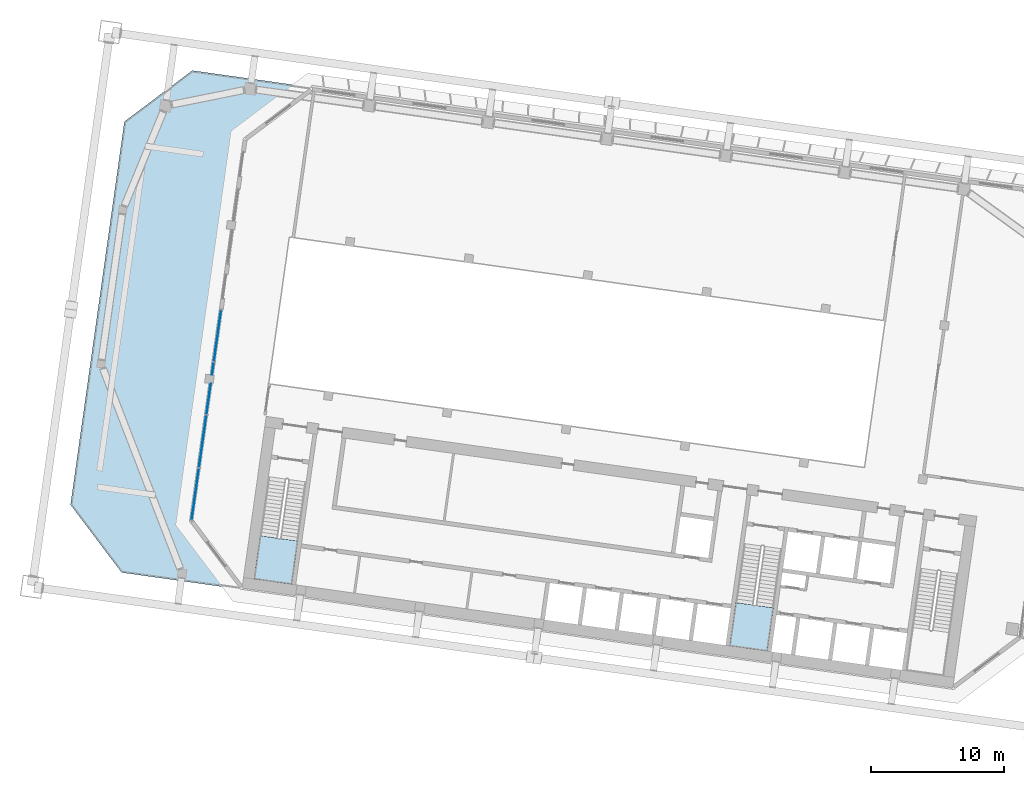
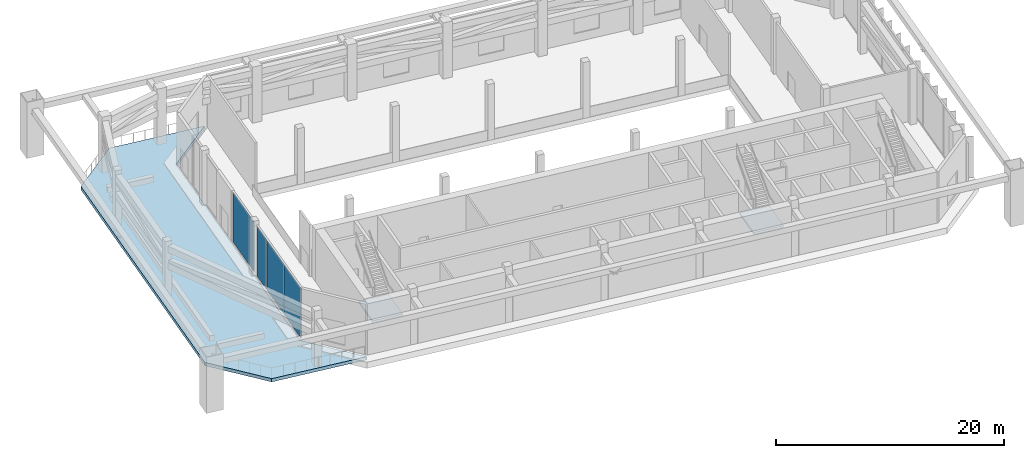
# One storey, part 17 of 41: 5 plates, 3 slabs, 3 elements without a shape of their own.
"""IFC4 building model written with IfcOpenShell, lengths in metres."""

import ifcopenshell
import ifcopenshell.guid

model = None  # the IFC model being written
_history = None  # IfcOwnerHistory: only IFC2X3 demands one
_inside = {}  # id of a spatial element -> (the spatial element, [elements in it])
_under = {}  # id of a project, library or spatial element -> (it, [spatial elements below it])
_declared = {}  # id of a project -> (the project, [libraries it declares])
_typed = {}  # id of a type object -> (the type object, [elements of that type])
_made_of = {}  # id of a material, layer set ... -> (it, [elements and type objects made of it])


def new_model(schema):
    """Start an empty IFC model of exactly this schema.

    Asked for "IFC4X3", IfcOpenShell would pick the latest addendum, in which some entities
    have other attributes; the version numbers below select the first issue.
    IFC2X3 requires an IfcOwnerHistory on every rooted entity: one is made here for all.
    """
    global model, _history
    if schema == "IFC4X3":
        model = ifcopenshell.file(schema_version=(4, 3, 0, 0))
    else:
        model = ifcopenshell.file(schema=schema)
    _inside.clear()
    _under.clear()
    _declared.clear()
    _typed.clear()
    _made_of.clear()
    _history = None
    if model.schema == "IFC2X3":
        org = make("IfcOrganization", Name="unknown")
        user = make(
            "IfcPersonAndOrganization",
            ThePerson=make("IfcPerson", FamilyName="unknown"),
            TheOrganization=org,
        )
        app = make(
            "IfcApplication",
            ApplicationDeveloper=org,
            Version="unknown",
            ApplicationFullName="unknown",
            ApplicationIdentifier="unknown",
        )
        _history = make(
            "IfcOwnerHistory",
            OwningUser=user,
            OwningApplication=app,
            ChangeAction="ADDED",
            CreationDate=0,
        )
    return model


def make(cls, **values):
    """One entity of the class cls with the attributes given. An attribute that is None is left unset."""
    return model.create_entity(
        cls, **{name: value for name, value in values.items() if value is not None}
    )


def rooted(cls, **values):
    """An entity with a GlobalId (a new one), such as an element, a storey or a relation."""
    return make(cls, GlobalId=ifcopenshell.guid.new(), OwnerHistory=_history, **values)


def si_unit(unit_type, name, prefix=None):
    """IfcSIUnit, for example si_unit("LENGTHUNIT", "METRE", prefix="MILLI")."""
    return make("IfcSIUnit", UnitType=unit_type, Prefix=prefix, Name=name)


def assignment(units):
    """IfcUnitAssignment: the units of a project."""
    return None if units is None else make("IfcUnitAssignment", Units=units)


def point(xyz):
    """IfcCartesianPoint."""
    return None if xyz is None else make("IfcCartesianPoint", Coordinates=xyz)


def direction(xyz):
    """IfcDirection."""
    return None if xyz is None else make("IfcDirection", DirectionRatios=xyz)


def frame(location, z_axis=None, x_axis=None):
    """IfcAxis2Placement3D, a coordinate frame: its origin and axes. An axis left out is left unset."""
    return make(
        "IfcAxis2Placement3D",
        Location=point(location),
        Axis=direction(z_axis),
        RefDirection=direction(x_axis),
    )


def frame_2d(location, x_axis=None):
    """IfcAxis2Placement2D, a coordinate frame in the plane: its origin and x axis."""
    return make(
        "IfcAxis2Placement2D", Location=point(location), RefDirection=direction(x_axis)
    )


def origin():
    """The frame at (0, 0, 0) with its axes left unset."""
    return frame((0.0, 0.0, 0.0))


def origin_2d():
    """The frame at (0, 0) in the plane with its x axis left unset."""
    return frame_2d((0.0, 0.0))


def place(relative_to, where):
    """IfcLocalPlacement: puts the frame where relative to a parent placement (None: the world)."""
    return make(
        "IfcLocalPlacement", PlacementRelTo=relative_to, RelativePlacement=where
    )


def context(
    kind, dimensions, precision=None, world=None, true_north=None, identifier=None
):
    """IfcGeometricRepresentationContext, for example the 3D "Model" context."""
    return make(
        "IfcGeometricRepresentationContext",
        ContextIdentifier=identifier,
        ContextType=kind,
        CoordinateSpaceDimension=dimensions,
        Precision=precision,
        WorldCoordinateSystem=world,
        TrueNorth=true_north,
    )


def subcontext(parent, identifier, kind, view, scale=None):
    """IfcGeometricRepresentationSubContext, for example "Body" below "Model"."""
    return make(
        "IfcGeometricRepresentationSubContext",
        ContextIdentifier=identifier,
        ContextType=kind,
        ParentContext=parent,
        TargetScale=scale,
        TargetView=view,
    )


def project(units=None, contexts=None):
    """IfcProject with its units and contexts."""
    return rooted(
        "IfcProject",
        Name="project",
        RepresentationContexts=contexts,
        UnitsInContext=assignment(units),
    )


def spatial(cls, under=None, at=None, **own):
    """A site, building, storey or space (cls), placed at a placement, below another one or the project."""
    s = rooted(cls, ObjectPlacement=at, **own)
    if under is not None:
        _under.setdefault(under.id(), (under, []))[1].append(s)
    return s


def polyline(points):
    """IfcPolyline through the points."""
    return make("IfcPolyline", Points=[point(p) for p in points])


def profile(cls, at=None, kind="AREA", **sizes):
    """A parametric profile (cls). Its sizes go by their IFC names, for example OverallWidth=200.0."""
    return make(cls, ProfileType=kind, Position=at, **sizes)


def rectangle(**sizes):
    """IfcRectangleProfileDef."""
    return profile("IfcRectangleProfileDef", **sizes)


def outline(outer, holes=None, kind="AREA"):
    """IfcArbitraryClosedProfileDef: a profile drawn as a closed curve; with holes, ...WithVoids."""
    if holes is None:
        return make("IfcArbitraryClosedProfileDef", ProfileType=kind, OuterCurve=outer)
    return make(
        "IfcArbitraryProfileDefWithVoids",
        ProfileType=kind,
        OuterCurve=outer,
        InnerCurves=holes,
    )


def extrude(swept, where, along, depth):
    """IfcExtrudedAreaSolid: the profile swept, set in the frame where, extruded along a direction by depth."""
    return make(
        "IfcExtrudedAreaSolid",
        SweptArea=swept,
        Position=where,
        ExtrudedDirection=direction(along),
        Depth=depth,
    )


def shape(context_of_items, identifier, shape_type, items):
    """IfcShapeRepresentation: the items that make up one representation, for example the "Body"."""
    return make(
        "IfcShapeRepresentation",
        ContextOfItems=context_of_items,
        RepresentationIdentifier=identifier,
        RepresentationType=shape_type,
        Items=items,
    )


def material(Name=None, Category=None):
    """IfcMaterial."""
    return make("IfcMaterial", Name=Name, Category=Category)


def layer(
    of_material, thickness, ventilated=None, Name=None, Category=None, Priority=None
):
    """IfcMaterialLayer: one layer of a wall or slab, of a material (None: an air gap)."""
    return make(
        "IfcMaterialLayer",
        Material=of_material,
        LayerThickness=thickness,
        IsVentilated=ventilated,
        Name=Name,
        Category=Category,
        Priority=Priority,
    )


def layer_set(layers, Name=None):
    """IfcMaterialLayerSet."""
    return make("IfcMaterialLayerSet", MaterialLayers=layers, LayerSetName=Name)


def made_of(thing, what):
    """Note that an element or type object is made of a material, layer set ...; save() writes the relation."""
    if what is not None:
        _made_of.setdefault(what.id(), (what, []))[1].append(thing)
    return thing


def type_object(cls, material=None, **own):
    """A type object (cls), such as IfcWallType, which elements share."""
    return made_of(rooted(cls, **own), material)


def element(
    cls,
    number,
    at=None,
    inside=None,
    cuts=None,
    type_object=None,
    material=None,
    context=None,
    identifier="Body",
    shape_type=None,
    held_by="IfcProductDefinitionShape",
    body=None,
    shapes=None,
    **own,
):
    """One element of the class cls, such as IfcWall. Its Tag is "e" and its number.

    at: its placement. inside: the storey or other place that contains it. cuts: it is an
    opening in that element (IfcRelVoidsElement). A single representation is given by context,
    identifier, shape_type and body (its items); several are given by shapes. held_by: the class
    of the entity that holds the representations. save() writes the other relations.
    """
    e = rooted(cls, Tag="e%d" % number, ObjectPlacement=at, **own)
    if body is not None:
        shapes = [shape(context, identifier, shape_type, body)]
    if shapes is not None:
        e.Representation = make(held_by, Representations=shapes)
    if inside is not None:
        _inside.setdefault(inside.id(), (inside, []))[1].append(e)
    if cuts is not None:
        rooted(
            "IfcRelVoidsElement", RelatingBuildingElement=cuts, RelatedOpeningElement=e
        )
    if type_object is not None:
        _typed.setdefault(type_object.id(), (type_object, []))[1].append(e)
    return made_of(e, material)


def aggregate(whole, parts):
    """IfcRelAggregates: a whole, such as a stair, and the parts it consists of."""
    return rooted("IfcRelAggregates", RelatingObject=whole, RelatedObjects=parts)


def save(model, path):
    """Write the relations noted so far, then the file.

    IfcRelAggregates (storeys below a building ...), IfcRelContainedInSpatialStructure (elements
    in a storey), IfcRelDefinesByType, IfcRelAssociatesMaterial and IfcRelDeclares: one each for
    every whole, place, type object, material and project.
    """
    for whole, parts in _under.values():
        aggregate(whole, parts)
    for where, things in _inside.values():
        rooted(
            "IfcRelContainedInSpatialStructure",
            RelatedElements=things,
            RelatingStructure=where,
        )
    for kind, things in _typed.values():
        rooted("IfcRelDefinesByType", RelatedObjects=things, RelatingType=kind)
    for what, things in _made_of.values():
        rooted("IfcRelAssociatesMaterial", RelatedObjects=things, RelatingMaterial=what)
    for by, libraries in _declared.values():
        rooted("IfcRelDeclares", RelatingContext=by, RelatedDefinitions=libraries)
    model.write(path)


model = new_model("IFC4")

# Units and contexts
model_context = context("Model", 3, precision=1e-05, world=origin(), true_north=direction((0.0, 1.0)))
body_context = subcontext(model_context, "Body", "Model", "MODEL_VIEW")
ifc_project = project(units=[si_unit("LENGTHUNIT", "METRE"), si_unit("AREAUNIT", "SQUARE_METRE"), si_unit("VOLUMEUNIT", "CUBIC_METRE"), si_unit("PLANEANGLEUNIT", "RADIAN"), si_unit("MASSUNIT", "GRAM", prefix="KILO")], contexts=[model_context])

# Site, building, storey
site_placement = place(None, origin())
site = spatial("IfcSite", under=ifc_project, at=site_placement, CompositionType="ELEMENT")
building_placement = place(site_placement, origin())
building = spatial("IfcBuilding", under=site, at=building_placement, Name="Mirante Cascada Hotel Towers", CompositionType="ELEMENT")
storey_placement = place(building_placement, frame((0.0, 0.0, 92.7)))
storey = spatial("IfcBuildingStorey", under=building, at=storey_placement, Name="L20", CompositionType="ELEMENT", Elevation=92.7)

# Curtain wall, plates
ifc_material_1 = material(Name="Aluminium mullion and transom frame with clear laminated glass", Category="aluminium")
curtain_wall_type = type_object("IfcCurtainWallType", Name="Sky garden curtain wall ECW4", PredefinedType="NOTDEFINED", material=ifc_material_1)
curtain_wall_placement = place(storey_placement, origin())
curtain_wall = element("IfcCurtainWall", 1, at=curtain_wall_placement, inside=storey, type_object=curtain_wall_type, Name="Sky garden wall T1 L20 run 1", PredefinedType="NOTDEFINED")
ifc_material_2 = material(Name="Clear laminated glass", Category="glass")
ifc_layer_1 = layer(ifc_material_2, 0.038)
ifc_layer_set_1 = layer_set([ifc_layer_1], Name="ECW4 glass panel 38")
plate_type = type_object("IfcPlateType", Name="ECW4 glass panel 38", PredefinedType="CURTAIN_PANEL", material=ifc_layer_set_1)
plate_1_placement = place(storey_placement, frame((-93.9661, -5.5465, 0.11), z_axis=(0.0, 0.0, 1.0), x_axis=(0.1391731, 0.9902681, 0.0)))
plate_1 = element("IfcPlate", 2, at=plate_1_placement, type_object=plate_type, Name="ECW4 panel 1", PredefinedType="CURTAIN_PANEL", context=body_context, shape_type="SweptSolid", body=[
    extrude(rectangle(XDim=3.897, YDim=0.038, at=origin_2d()), origin(), (0.0, 0.0, 1.0), 5.33),
])
plate_2_placement = place(storey_placement, frame((-93.4107, -1.5947, 0.11), z_axis=(0.0, 0.0, 1.0), x_axis=(0.1391731, 0.9902681, 0.0)))
plate_2 = element("IfcPlate", 3, at=plate_2_placement, type_object=plate_type, Name="ECW4 panel 2", PredefinedType="CURTAIN_PANEL", context=body_context, shape_type="SweptSolid", body=[
    extrude(rectangle(XDim=3.9345, YDim=0.038, at=origin_2d()), origin(), (0.0, 0.0, 1.0), 5.33),
])
plate_3_placement = place(storey_placement, frame((-92.9656, 1.5722, 0.11), z_axis=(0.0, 0.0, 1.0), x_axis=(0.1391731, 0.9902681, 0.0)))
plate_3 = element("IfcPlate", 4, at=plate_3_placement, type_object=plate_type, Name="ECW4 panel 3", PredefinedType="CURTAIN_PANEL", context=body_context, shape_type="SweptSolid", body=[
    extrude(rectangle(XDim=2.3114, YDim=0.038, at=origin_2d()), origin(), (0.0, 0.0, 1.0), 5.33),
])
plate_4_placement = place(storey_placement, frame((-92.6438, 3.8619, 0.11), z_axis=(0.0, 0.0, 1.0), x_axis=(0.1391731, 0.9902681, 0.0)))
plate_4 = element("IfcPlate", 5, at=plate_4_placement, type_object=plate_type, Name="ECW4 panel 3", PredefinedType="CURTAIN_PANEL", context=body_context, shape_type="SweptSolid", body=[
    extrude(rectangle(XDim=0.933, YDim=0.038, at=origin_2d()), origin(), (0.0, 0.0, 1.0), 5.33),
])
plate_5_placement = place(storey_placement, frame((-92.2973, 6.3277, 0.11), z_axis=(0.0, 0.0, 1.0), x_axis=(0.1391731, 0.9902681, 0.0)))
plate_5 = element("IfcPlate", 6, at=plate_5_placement, type_object=plate_type, Name="ECW4 panel 4", PredefinedType="CURTAIN_PANEL", context=body_context, shape_type="SweptSolid", body=[
    extrude(rectangle(XDim=3.897, YDim=0.038, at=origin_2d()), origin(), (0.0, 0.0, 1.0), 5.33),
])
aggregate(curtain_wall, [plate_1, plate_2, plate_3, plate_4, plate_5])

# Stair, slab
ifc_material_3 = material(Name="Concrete C35/45", Category="concrete")
stair_type = type_object("IfcStairType", Name="Exit stair half-turn 1350 concrete C35/45", PredefinedType="HALF_TURN_STAIR", material=ifc_material_3)
stair_1_placement = place(storey_placement, origin())
stair_1 = element("IfcStair", 7, at=stair_1_placement, inside=storey, type_object=stair_type, Name="L20 Exit stair B", PredefinedType="HALF_TURN_STAIR")
ifc_material_4 = material(Name="Concrete C35/45", Category="concrete")
ifc_layer_2 = layer(ifc_material_4, 0.2)
ifc_layer_set_2 = layer_set([ifc_layer_2], Name="Exit stair landing 200 concrete C35/45")
slab_type_1 = type_object("IfcSlabType", Name="Exit stair landing 200 concrete C35/45", PredefinedType="LANDING", material=ifc_layer_set_2)
slab_1_placement = place(storey_placement, frame((0.0, 0.0, 2.8)))
slab_1 = element("IfcSlab", 8, at=slab_1_placement, type_object=slab_type_1, Name="ST1-B landing 1", PredefinedType="LANDING", context=body_context, shape_type="SweptSolid", body=[
    extrude(outline(polyline([(-53.4526, -13.6716), (-53.9088, -16.9177), (-51.0866, -17.3144), (-50.6304, -14.0683), (-53.4526, -13.6716)])), origin(), (0.0, 0.0, 1.0), 0.2),
])
aggregate(stair_1, [slab_1])

stair_2_placement = place(storey_placement, origin())
stair_2 = element("IfcStair", 9, at=stair_2_placement, inside=storey, type_object=stair_type, Name="L20 Exit stair C", PredefinedType="HALF_TURN_STAIR")
slab_2_placement = place(storey_placement, frame((0.0, 0.0, 2.8)))
slab_2 = element("IfcSlab", 10, at=slab_2_placement, type_object=slab_type_1, Name="ST1-C landing 1", PredefinedType="LANDING", context=body_context, shape_type="SweptSolid", body=[
    extrude(outline(polyline([(-89.1023, -8.6614), (-89.5585, -11.9075), (-86.7362, -12.3041), (-86.28, -9.058), (-89.1023, -8.6614)])), origin(), (0.0, 0.0, 1.0), 0.2),
])
aggregate(stair_2, [slab_2])

# Slab
ifc_material_5 = material(Name="Concrete C40/50", Category="concrete")
ifc_layer_3 = layer(ifc_material_5, 0.35)
ifc_layer_set_3 = layer_set([ifc_layer_3], Name="Terrace slab 350 Concrete C40/50")
slab_type_2 = type_object("IfcSlabType", Name="Terrace slab 350 Concrete C40/50", PredefinedType="FLOOR", material=ifc_layer_set_3)
slab_3_placement = place(storey_placement, frame((0.0, 0.0, -0.35)))
element("IfcSlab", 11, at=slab_3_placement, inside=storey, type_object=slab_type_2, Name="Terrace T1 L20", PredefinedType="FLOOR", context=body_context, shape_type="SweptSolid", body=[
    extrude(outline(polyline([(-94.1988, 26.2093), (-99.2813, 22.3794), (-103.3173, -6.3384), (-99.4874, -11.4209), (-90.575, -12.6735), (-94.4049, -7.591), (-90.3689, 21.1268), (-85.2864, 24.9567), (-94.1988, 26.2093)])), origin(), (0.0, 0.0, 1.0), 0.35),
])

save(model, "model.ifc")
